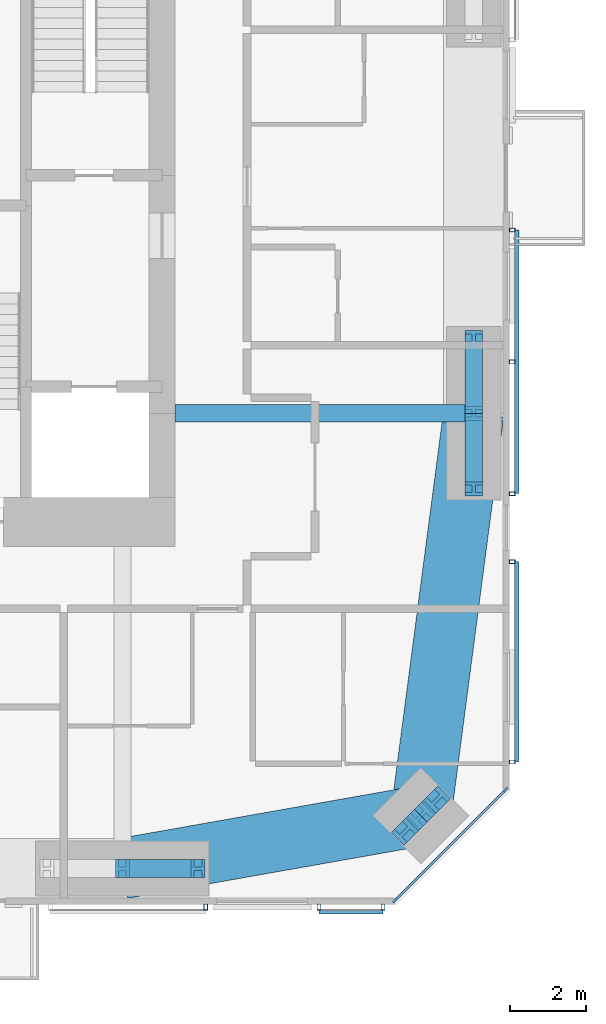
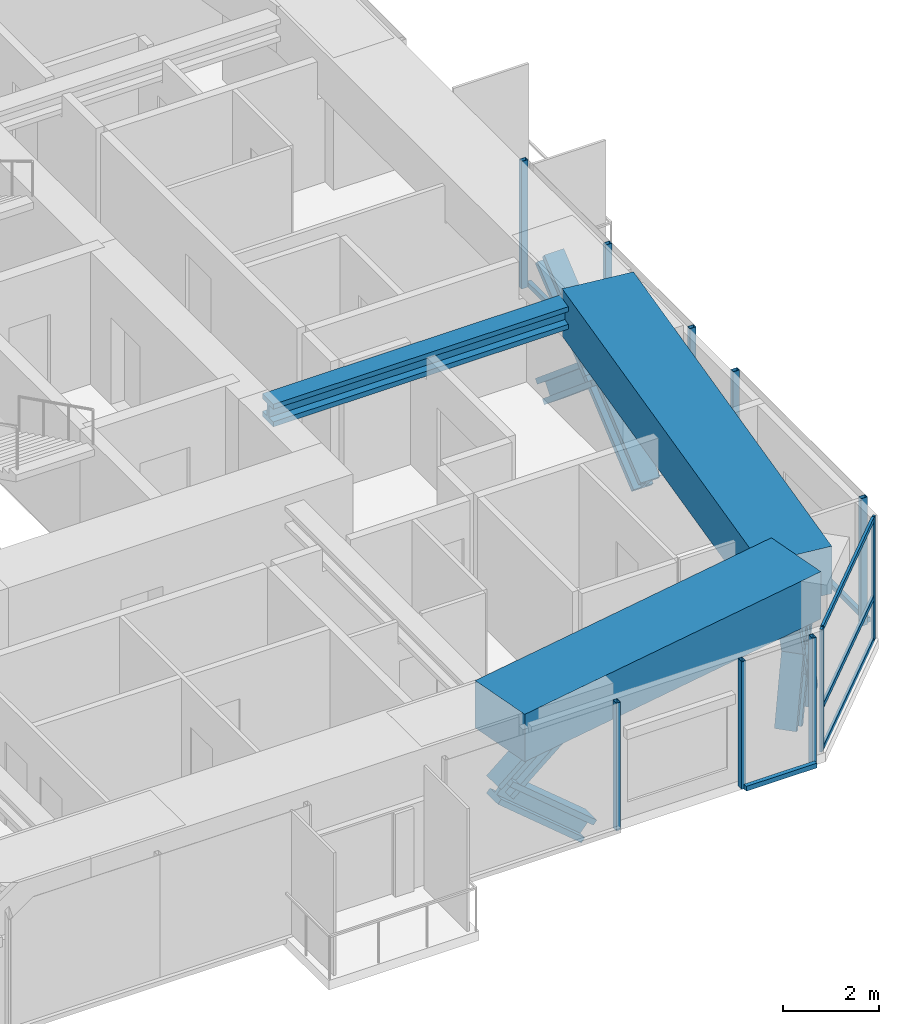
# One storey, part 7 of 22: 26 members, 3 beams, 5 elements without a shape of their own.
"""IFC4 building model written with IfcOpenShell, lengths in metres."""

from ifc_helpers import new_model, si_unit, direction, frame, origin, origin_2d, place, context, subcontext, project, spatial, rectangle, hollow_rectangle, i_section, extrude, material, material_profile, profile_set, type_object, element, aggregate, save


model = new_model("IFC4")

# Units and contexts
model_context = context("Model", 3, precision=1e-05, world=origin(), true_north=direction((0.0, 1.0)))
body_context = subcontext(model_context, "Body", "Model", "MODEL_VIEW")
ifc_project = project(units=[si_unit("LENGTHUNIT", "METRE"), si_unit("AREAUNIT", "SQUARE_METRE"), si_unit("VOLUMEUNIT", "CUBIC_METRE"), si_unit("PLANEANGLEUNIT", "RADIAN"), si_unit("MASSUNIT", "GRAM", prefix="KILO")], contexts=[model_context])

# Site, building, storey
site_placement = place(None, origin())
site = spatial("IfcSite", under=ifc_project, at=site_placement, CompositionType="ELEMENT")
building_placement = place(site_placement, origin())
building = spatial("IfcBuilding", under=site, at=building_placement, Name="Jalousie Tower", CompositionType="ELEMENT")
storey_placement = place(building_placement, frame((0.0, 0.0, 174.449951171875)))
storey = spatial("IfcBuildingStorey", under=building, at=storey_placement, Name="L47", CompositionType="ELEMENT", Elevation=174.449951171875)

# Curtain wall, members
ifc_material_1 = material(Name="Aluminium curtain wall", Category="aluminium")
curtain_wall_type_1 = type_object("IfcCurtainWallType", Name="CORNER WINDOW WALL", PredefinedType="USERDEFINED", material=ifc_material_1)
curtain_wall_1_placement = place(storey_placement, origin())
curtain_wall_1 = element("IfcCurtainWall", 1, at=curtain_wall_1_placement, inside=storey, type_object=curtain_wall_type_1, Name="Corner Window Wall L47 2", ObjectType="CORNER WINDOW WALL", PredefinedType="USERDEFINED")
ifc_material_2 = material(Name="Aluminium mullion", Category="aluminium")
ifc_material_profile_1 = material_profile(ifc_material_2, rectangle(XDim=0.06005859375, YDim=0.14990234375, at=origin_2d()), Name="MULLION 60x150")
ifc_profile_set_1 = profile_set([ifc_material_profile_1], Name="Aluminium mullion")
member_type_1 = type_object("IfcMemberType", Name="CORNER WINDOW WALL MULLION", PredefinedType="MULLION", material=ifc_profile_set_1)
member_1_placement = place(storey_placement, frame((49.969970703125, 0.108642578125, 0.0), z_axis=(0.0, 0.0, 1.0), x_axis=(-0.707106781187, 0.707106781187, 0.0)))
member_1 = element("IfcMember", 2, at=member_1_placement, type_object=member_type_1, Name="CW-C mullion 1", PredefinedType="MULLION", context=body_context, shape_type="SweptSolid", body=[
    extrude(rectangle(XDim=0.06005859375, YDim=0.14990234375, at=origin_2d()), origin(), (0.0, 0.0, 1.0), 3.110107421875),
])
member_2_placement = place(storey_placement, frame((52.891357421875, 3.030029296875, 0.0), z_axis=(0.0, 0.0, 1.0), x_axis=(-0.707106781187, 0.707106781187, 0.0)))
member_2 = element("IfcMember", 3, at=member_2_placement, type_object=member_type_1, Name="CW-C mullion 2", PredefinedType="MULLION", context=body_context, shape_type="SweptSolid", body=[
    extrude(rectangle(XDim=0.06005859375, YDim=0.14990234375, at=origin_2d()), origin(), (0.0, 0.0, 1.0), 3.110107421875),
])
ifc_material_3 = material(Name="Aluminium transom", Category="aluminium")
ifc_material_profile_2 = material_profile(ifc_material_3, rectangle(XDim=0.06005859375, YDim=0.1201171875, at=origin_2d()), Name="TRANSOM 60x120")
ifc_profile_set_2 = profile_set([ifc_material_profile_2], Name="Aluminium transom")
member_type_2 = type_object("IfcMemberType", Name="CORNER WINDOW WALL TRANSOM", PredefinedType="USERDEFINED", material=ifc_profile_set_2)
member_3_placement = place(storey_placement, frame((49.9912109375, 0.1298828125, 0.030029296875), z_axis=(0.707106781187, 0.707106781187, 0.0), x_axis=(-0.707106781187, 0.707106781187, 0.0)))
member_3 = element("IfcMember", 4, at=member_3_placement, type_object=member_type_2, Name="CW-C transom 1.1", ObjectType="TRANSOM", PredefinedType="USERDEFINED", context=body_context, shape_type="SweptSolid", body=[
    extrude(rectangle(XDim=0.06005859375, YDim=0.1201171875, at=origin_2d()), origin(), (0.0, 0.0, 1.0), 4.0712890625),
])
member_4_placement = place(storey_placement, frame((49.9912109375, 0.1298828125, 1.10009765625), z_axis=(0.707106781187, 0.707106781187, 0.0), x_axis=(-0.707106781187, 0.707106781187, 0.0)))
member_4 = element("IfcMember", 5, at=member_4_placement, type_object=member_type_2, Name="CW-C transom 1.2", ObjectType="TRANSOM", PredefinedType="USERDEFINED", context=body_context, shape_type="SweptSolid", body=[
    extrude(rectangle(XDim=0.06005859375, YDim=0.1201171875, at=origin_2d()), origin(), (0.0, 0.0, 1.0), 4.0712890625),
])
member_5_placement = place(storey_placement, frame((49.9912109375, 0.1298828125, 3.080078125), z_axis=(0.707106781187, 0.707106781187, 0.0), x_axis=(-0.707106781187, 0.707106781187, 0.0)))
member_5 = element("IfcMember", 6, at=member_5_placement, type_object=member_type_2, Name="CW-C transom 1.3", ObjectType="TRANSOM", PredefinedType="USERDEFINED", context=body_context, shape_type="SweptSolid", body=[
    extrude(rectangle(XDim=0.06005859375, YDim=0.1201171875, at=origin_2d()), origin(), (0.0, 0.0, 1.0), 4.0712890625),
])
aggregate(curtain_wall_1, [member_1, member_2, member_3, member_4, member_5])

# Beam
ifc_material_4 = material(Name="Steel ASTM A992 Grade 50", Category="steel")
ifc_material_profile_3 = material_profile(ifc_material_4, i_section(OverallWidth=0.45458984375, OverallDepth=0.569091796875, WebThickness=0.077880859375, FlangeThickness=0.124755859375, at=origin_2d()), Name="W14X730")
ifc_profile_set_3 = profile_set([ifc_material_profile_3], Name="Steel ASTM A992 Grade 50")
beam_type_1 = type_object("IfcBeamType", Name="LEAN COLLECTOR W14X730", PredefinedType="BEAM", material=ifc_profile_set_3)
beam_1_placement = place(storey_placement, frame((52.050048828125, 13.0, 2.825439453125), z_axis=(-1.0, 0.0, 0.0), x_axis=(0.0, -1.0, 0.0)))
element("IfcBeam", 7, at=beam_1_placement, inside=storey, type_object=beam_type_1, Name="Lean collector under L48", PredefinedType="BEAM", context=body_context, shape_type="SweptSolid", body=[
    extrude(i_section(OverallWidth=0.45458984375, OverallDepth=0.569091796875, WebThickness=0.077880859375, FlangeThickness=0.124755859375, at=origin_2d()), origin(), (0.0, 0.0, 1.0), 7.900146484375),
])

# Members
ifc_material_5 = material(Name="Steel ASTM A992 Grade 50", Category="steel")
ifc_material_profile_4 = material_profile(ifc_material_5, i_section(OverallWidth=0.472412109375, OverallDepth=0.5791015625, WebThickness=0.094970703125, FlangeThickness=0.1298828125, at=origin_2d()), Name="W14X808")
ifc_profile_set_4 = profile_set([ifc_material_profile_4], Name="Steel ASTM A992 Grade 50")
member_type_3 = type_object("IfcMemberType", Name="PERIMETER BRACE W14X808", PredefinedType="BRACE", material=ifc_profile_set_4)
member_6_placement = place(storey_placement, frame((42.75, 0.949951171875, 1.074951171875), z_axis=(0.766638753323, 0.0, 0.642078672674), x_axis=(0.0, 1.0, 0.0)))
element("IfcMember", 8, at=member_6_placement, inside=storey, type_object=member_type_3, Name="Perimeter brace 04 L47 part 2", PredefinedType="BRACE", context=body_context, shape_type="SweptSolid", body=[
    extrude(i_section(OverallWidth=0.472412109375, OverallDepth=0.5791015625, WebThickness=0.094970703125, FlangeThickness=0.1298828125, at=origin_2d()), origin(), (0.0, 0.0, 1.0), 2.60888671875),
])
member_7_placement = place(storey_placement, frame((44.75, 0.949951171875, -0.599853515625), z_axis=(-0.766684820047, 0.0, 0.642023665225), x_axis=(0.0, -1.0, 0.0)))
element("IfcMember", 9, at=member_7_placement, inside=storey, type_object=member_type_3, Name="Perimeter brace 04 L47 part 3", PredefinedType="BRACE", context=body_context, shape_type="SweptSolid", body=[
    extrude(i_section(OverallWidth=0.472412109375, OverallDepth=0.5791015625, WebThickness=0.094970703125, FlangeThickness=0.1298828125, at=origin_2d()), origin(), (0.0, 0.0, 1.0), 2.608642578125),
])
member_8_placement = place(storey_placement, frame((50.227294921875, 1.92431640625, -0.599853515625), z_axis=(0.238513569048, 0.238376334543, 0.941428701766), x_axis=(-0.706903267951, 0.707310235866, 0.0)))
element("IfcMember", 10, at=member_8_placement, inside=storey, type_object=member_type_3, Name="Perimeter brace 05 L47 part 1", PredefinedType="BRACE", context=body_context, shape_type="SweptSolid", body=[
    extrude(i_section(OverallWidth=0.472412109375, OverallDepth=0.5791015625, WebThickness=0.094970703125, FlangeThickness=0.1298828125, at=origin_2d()), origin(), (0.0, 0.0, 1.0), 1.779052734375),
])
member_9_placement = place(storey_placement, frame((50.651611328125, 2.348388671875, 1.074951171875), z_axis=(0.238345540878, 0.238482757655, 0.941444303953), x_axis=(-0.707310235866, 0.706903267951, 0.0)))
element("IfcMember", 11, at=member_9_placement, inside=storey, type_object=member_type_3, Name="Perimeter brace 05 L47 part 2", PredefinedType="BRACE", context=body_context, shape_type="SweptSolid", body=[
    extrude(i_section(OverallWidth=0.472412109375, OverallDepth=0.5791015625, WebThickness=0.094970703125, FlangeThickness=0.1298828125, at=origin_2d()), origin(), (0.0, 0.0, 1.0), 1.779296875),
])
member_10_placement = place(storey_placement, frame((51.07568359375, 2.772705078125, -0.599853515625), z_axis=(-0.238376334543, -0.238513569048, 0.941428701766), x_axis=(0.707310235866, -0.706903267951, 0.0)))
element("IfcMember", 12, at=member_10_placement, inside=storey, type_object=member_type_3, Name="Perimeter brace 05 L47 part 3", PredefinedType="BRACE", context=body_context, shape_type="SweptSolid", body=[
    extrude(i_section(OverallWidth=0.472412109375, OverallDepth=0.5791015625, WebThickness=0.094970703125, FlangeThickness=0.1298828125, at=origin_2d()), origin(), (0.0, 0.0, 1.0), 1.779052734375),
])
member_11_placement = place(storey_placement, frame((50.651611328125, 2.348388671875, 1.074951171875), z_axis=(-0.238482757655, -0.238345540878, 0.941444303953), x_axis=(0.706903267951, -0.707310235866, 0.0)))
element("IfcMember", 13, at=member_11_placement, inside=storey, type_object=member_type_3, Name="Perimeter brace 05 L47 part 4", PredefinedType="BRACE", context=body_context, shape_type="SweptSolid", body=[
    extrude(i_section(OverallWidth=0.472412109375, OverallDepth=0.5791015625, WebThickness=0.094970703125, FlangeThickness=0.1298828125, at=origin_2d()), origin(), (0.0, 0.0, 1.0), 1.779296875),
])
member_12_placement = place(storey_placement, frame((52.050048828125, 11.0, -0.599853515625), z_axis=(0.0, 0.766684820047, 0.642023665225), x_axis=(-1.0, 0.0, 0.0)))
element("IfcMember", 14, at=member_12_placement, inside=storey, type_object=member_type_3, Name="Perimeter brace 06 L47 part 1", PredefinedType="BRACE", context=body_context, shape_type="SweptSolid", body=[
    extrude(i_section(OverallWidth=0.472412109375, OverallDepth=0.5791015625, WebThickness=0.094970703125, FlangeThickness=0.1298828125, at=origin_2d()), origin(), (0.0, 0.0, 1.0), 2.608642578125),
])
member_13_placement = place(storey_placement, frame((52.050048828125, 13.0, 1.074951171875), z_axis=(0.0, 0.766638753323, 0.642078672674), x_axis=(-1.0, 0.0, 0.0)))
element("IfcMember", 15, at=member_13_placement, inside=storey, type_object=member_type_3, Name="Perimeter brace 06 L47 part 2", PredefinedType="BRACE", context=body_context, shape_type="SweptSolid", body=[
    extrude(i_section(OverallWidth=0.472412109375, OverallDepth=0.5791015625, WebThickness=0.094970703125, FlangeThickness=0.1298828125, at=origin_2d()), origin(), (0.0, 0.0, 1.0), 2.60888671875),
])
member_14_placement = place(storey_placement, frame((52.050048828125, 15.0, -0.599853515625), z_axis=(0.0, -0.766684820047, 0.642023665225), x_axis=(1.0, 0.0, 0.0)))
element("IfcMember", 16, at=member_14_placement, inside=storey, type_object=member_type_3, Name="Perimeter brace 06 L47 part 3", PredefinedType="BRACE", context=body_context, shape_type="SweptSolid", body=[
    extrude(i_section(OverallWidth=0.472412109375, OverallDepth=0.5791015625, WebThickness=0.094970703125, FlangeThickness=0.1298828125, at=origin_2d()), origin(), (0.0, 0.0, 1.0), 2.608642578125),
])
member_15_placement = place(storey_placement, frame((52.050048828125, 13.0, 1.074951171875), z_axis=(0.0, -0.766638753323, 0.642078672674), x_axis=(1.0, 0.0, 0.0)))
element("IfcMember", 17, at=member_15_placement, inside=storey, type_object=member_type_3, Name="Perimeter brace 06 L47 part 4", PredefinedType="BRACE", context=body_context, shape_type="SweptSolid", body=[
    extrude(i_section(OverallWidth=0.472412109375, OverallDepth=0.5791015625, WebThickness=0.094970703125, FlangeThickness=0.1298828125, at=origin_2d()), origin(), (0.0, 0.0, 1.0), 2.60888671875),
])

# Beams
ifc_material_6 = material(Name="Concrete f'c 40 MPa", Category="concrete")
ifc_material_profile_5 = material_profile(ifc_material_6, rectangle(XDim=1.60009765625, YDim=1.199951171875, at=origin_2d()), Name="RC 1600x1200")
ifc_profile_set_5 = profile_set([ifc_material_profile_5], Name="Concrete f'c 40 MPa")
beam_type_2 = type_object("IfcBeamType", Name="RC BEAM 1600x1200", PredefinedType="BEAM", material=ifc_profile_set_5)
beam_2_placement = place(storey_placement, frame((42.75, 0.949951171875, 2.75), z_axis=(0.984697370688, 0.174273027632, 0.0), x_axis=(-0.174273027632, 0.984697370688, 0.0)))
element("IfcBeam", 18, at=beam_2_placement, inside=storey, type_object=beam_type_2, Name="Edge band beam 04-05 under L48", PredefinedType="BEAM", context=body_context, shape_type="SweptSolid", body=[
    extrude(rectangle(XDim=1.60009765625, YDim=1.199951171875, at=origin_2d()), origin(), (0.0, 0.0, 1.0), 8.0244140625),
])
beam_3_placement = place(storey_placement, frame((50.651611328125, 2.348388671875, 2.75), z_axis=(0.130171745558, 0.991491460709, 0.0), x_axis=(-0.991491460709, 0.130171745558, 0.0)))
element("IfcBeam", 19, at=beam_3_placement, inside=storey, type_object=beam_type_2, Name="Edge band beam 05-06 under L48", PredefinedType="BEAM", context=body_context, shape_type="SweptSolid", body=[
    extrude(rectangle(XDim=1.60009765625, YDim=1.199951171875, at=origin_2d()), origin(), (0.0, 0.0, 1.0), 10.742919921875),
])

# Curtain wall, member
ifc_material_7 = material(Name="Perforated aluminium sheet", Category="aluminium")
curtain_wall_type_2 = type_object("IfcCurtainWallType", Name="SOLAR SCREEN SS-1", PredefinedType="USERDEFINED", material=ifc_material_7)
curtain_wall_2_placement = place(storey_placement, origin())
curtain_wall_2 = element("IfcCurtainWall", 20, at=curtain_wall_2_placement, inside=storey, type_object=curtain_wall_type_2, Name="Solar screen L47", ObjectType="SOLAR SCREEN SS-1", PredefinedType="USERDEFINED")
ifc_material_8 = material(Name="Steel ASTM A500 Grade C", Category="steel")
ifc_material_profile_6 = material_profile(ifc_material_8, hollow_rectangle(XDim=0.1015625, YDim=0.15234375, WallThickness=0.00634765625, at=origin_2d()), Name="HSS6X4X1/4")
ifc_profile_set_6 = profile_set([ifc_material_profile_6], Name="Steel ASTM A500 Grade C")
member_type_4 = type_object("IfcMemberType", Name="SOLAR SCREEN SS-1 MULLION", PredefinedType="MULLION", material=ifc_profile_set_6)
member_16_placement = place(storey_placement, frame((44.956787109375, -0.0712890625, -0.119873046875), z_axis=(0.0, 0.0, 1.0), x_axis=(1.0, 0.0, 0.0)))
member_16 = element("IfcMember", 21, at=member_16_placement, type_object=member_type_4, Name="SS1 post 2", PredefinedType="MULLION", context=body_context, shape_type="SweptSolid", body=[
    extrude(hollow_rectangle(XDim=0.1015625, YDim=0.15234375, WallThickness=0.00634765625, at=origin_2d()), origin(), (0.0, 0.0, 1.0), 3.22998046875),
])
aggregate(curtain_wall_2, [member_16])

# Curtain wall, members
curtain_wall_3_placement = place(storey_placement, origin())
curtain_wall_3 = element("IfcCurtainWall", 22, at=curtain_wall_3_placement, inside=storey, type_object=curtain_wall_type_2, Name="Solar screen L47", ObjectType="SOLAR SCREEN SS-1", PredefinedType="USERDEFINED")
member_17_placement = place(storey_placement, frame((47.956787109375, -0.0712890625, -0.119873046875), z_axis=(0.0, 0.0, 1.0), x_axis=(1.0, 0.0, 0.0)))
member_17 = element("IfcMember", 23, at=member_17_placement, type_object=member_type_4, Name="SS1 post 1", PredefinedType="MULLION", context=body_context, shape_type="SweptSolid", body=[
    extrude(hollow_rectangle(XDim=0.1015625, YDim=0.15234375, WallThickness=0.00634765625, at=origin_2d()), origin(), (0.0, 0.0, 1.0), 3.22998046875),
])
member_18_placement = place(storey_placement, frame((49.648681640625, -0.0712890625, -0.119873046875), z_axis=(0.0, 0.0, 1.0), x_axis=(1.0, 0.0, 0.0)))
member_18 = element("IfcMember", 24, at=member_18_placement, type_object=member_type_4, Name="SS1 post 2", PredefinedType="MULLION", context=body_context, shape_type="SweptSolid", body=[
    extrude(hollow_rectangle(XDim=0.1015625, YDim=0.15234375, WallThickness=0.00634765625, at=origin_2d()), origin(), (0.0, 0.0, 1.0), 3.22998046875),
])

curtain_wall_4_placement = place(storey_placement, origin())
curtain_wall_4 = element("IfcCurtainWall", 25, at=curtain_wall_4_placement, inside=storey, type_object=curtain_wall_type_2, Name="Solar screen L47", ObjectType="SOLAR SCREEN SS-1", PredefinedType="USERDEFINED")
member_19_placement = place(storey_placement, frame((53.0712890625, 3.771240234375, -0.119873046875), z_axis=(0.0, 0.0, 1.0), x_axis=(0.0, 1.0, 0.0)))
member_19 = element("IfcMember", 26, at=member_19_placement, type_object=member_type_4, Name="SS1 post 1", PredefinedType="MULLION", context=body_context, shape_type="SweptSolid", body=[
    extrude(hollow_rectangle(XDim=0.1015625, YDim=0.15234375, WallThickness=0.00634765625, at=origin_2d()), origin(), (0.0, 0.0, 1.0), 3.22998046875),
])
member_20_placement = place(storey_placement, frame((53.0712890625, 9.072021484375, -0.119873046875), z_axis=(0.0, 0.0, 1.0), x_axis=(0.0, 1.0, 0.0)))
member_20 = element("IfcMember", 27, at=member_20_placement, type_object=member_type_4, Name="SS1 post 2", PredefinedType="MULLION", context=body_context, shape_type="SweptSolid", body=[
    extrude(hollow_rectangle(XDim=0.1015625, YDim=0.15234375, WallThickness=0.00634765625, at=origin_2d()), origin(), (0.0, 0.0, 1.0), 3.22998046875),
])

curtain_wall_5_placement = place(storey_placement, origin())
curtain_wall_5 = element("IfcCurtainWall", 28, at=curtain_wall_5_placement, inside=storey, type_object=curtain_wall_type_2, Name="Solar screen L47", ObjectType="SOLAR SCREEN SS-1", PredefinedType="USERDEFINED")
member_21_placement = place(storey_placement, frame((53.0712890625, 10.871826171875, -0.119873046875), z_axis=(0.0, 0.0, 1.0), x_axis=(0.0, 1.0, 0.0)))
member_21 = element("IfcMember", 29, at=member_21_placement, type_object=member_type_4, Name="SS1 post 1", PredefinedType="MULLION", context=body_context, shape_type="SweptSolid", body=[
    extrude(hollow_rectangle(XDim=0.1015625, YDim=0.15234375, WallThickness=0.00634765625, at=origin_2d()), origin(), (0.0, 0.0, 1.0), 3.22998046875),
])
member_22_placement = place(storey_placement, frame((53.0712890625, 14.361083984375, -0.119873046875), z_axis=(0.0, 0.0, 1.0), x_axis=(0.0, 1.0, 0.0)))
member_22 = element("IfcMember", 30, at=member_22_placement, type_object=member_type_4, Name="SS1 post 2", PredefinedType="MULLION", context=body_context, shape_type="SweptSolid", body=[
    extrude(hollow_rectangle(XDim=0.1015625, YDim=0.15234375, WallThickness=0.00634765625, at=origin_2d()), origin(), (0.0, 0.0, 1.0), 3.22998046875),
])
member_23_placement = place(storey_placement, frame((53.0712890625, 17.85009765625, -0.119873046875), z_axis=(0.0, 0.0, 1.0), x_axis=(0.0, 1.0, 0.0)))
member_23 = element("IfcMember", 31, at=member_23_placement, type_object=member_type_4, Name="SS1 post 3", PredefinedType="MULLION", context=body_context, shape_type="SweptSolid", body=[
    extrude(hollow_rectangle(XDim=0.1015625, YDim=0.15234375, WallThickness=0.00634765625, at=origin_2d()), origin(), (0.0, 0.0, 1.0), 3.22998046875),
])

# Member
ifc_material_9 = material(Name="Extruded aluminium screen rail", Category="aluminium")
ifc_material_profile_7 = material_profile(ifc_material_9, rectangle(XDim=0.1015625, YDim=0.1201171875, at=origin_2d()), Name="RAIL 102x120")
ifc_profile_set_7 = profile_set([ifc_material_profile_7], Name="Extruded aluminium screen rail")
member_type_5 = type_object("IfcMemberType", Name="SOLAR SCREEN SS-1 TRANSOM", PredefinedType="USERDEFINED", material=ifc_profile_set_7)
member_24_placement = place(storey_placement, frame((47.956787109375, -0.1982421875, -0.06005859375), z_axis=(1.0, 0.0, 0.0), x_axis=(0.0, 1.0, 0.0)))
member_24 = element("IfcMember", 32, at=member_24_placement, type_object=member_type_5, Name="SS1 rail", ObjectType="TRANSOM", PredefinedType="USERDEFINED", context=body_context, shape_type="SweptSolid", body=[
    extrude(rectangle(XDim=0.1015625, YDim=0.1201171875, at=origin_2d()), origin(), (0.0, 0.0, 1.0), 1.69189453125),
])

aggregate(curtain_wall_3, [member_17, member_18, member_24])

member_25_placement = place(storey_placement, frame((53.1982421875, 3.771240234375, -0.06005859375), z_axis=(0.0, 1.0, 0.0), x_axis=(-1.0, 0.0, 0.0)))
member_25 = element("IfcMember", 33, at=member_25_placement, type_object=member_type_5, Name="SS1 rail", ObjectType="TRANSOM", PredefinedType="USERDEFINED", context=body_context, shape_type="SweptSolid", body=[
    extrude(rectangle(XDim=0.1015625, YDim=0.1201171875, at=origin_2d()), origin(), (0.0, 0.0, 1.0), 5.30078125),
])

aggregate(curtain_wall_4, [member_19, member_20, member_25])

member_26_placement = place(storey_placement, frame((53.1982421875, 10.871826171875, -0.06005859375), z_axis=(0.0, 1.0, 0.0), x_axis=(-1.0, 0.0, 0.0)))
member_26 = element("IfcMember", 34, at=member_26_placement, type_object=member_type_5, Name="SS1 rail", ObjectType="TRANSOM", PredefinedType="USERDEFINED", context=body_context, shape_type="SweptSolid", body=[
    extrude(rectangle(XDim=0.1015625, YDim=0.1201171875, at=origin_2d()), origin(), (0.0, 0.0, 1.0), 6.978271484375),
])

aggregate(curtain_wall_5, [member_21, member_22, member_23, member_26])

save(model, "model.ifc")
